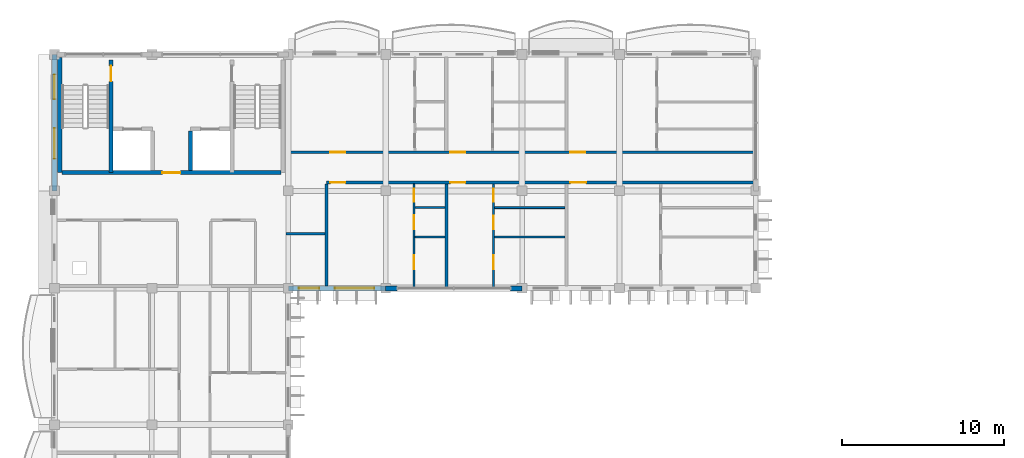
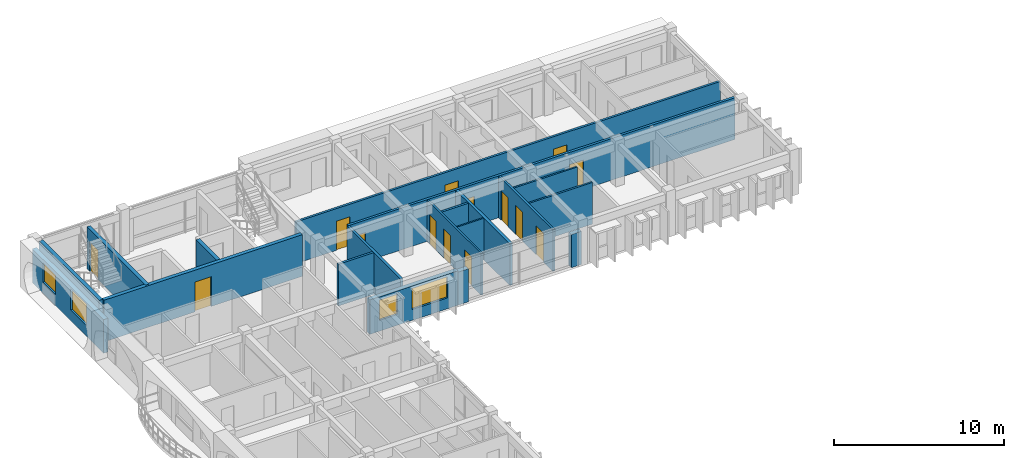
# One storey, part 30 of 68: 19 walls, 14 doors, 4 windows, 18 openings.
"""IFC4 building model written with IfcOpenShell, lengths in metres."""

from ifc_helpers import new_model, si_unit, direction, frame, frame_2d, origin, place, context, subcontext, project, spatial, rectangle, extrude, material, layer, layer_set, type_object, element, fill, save


model = new_model("IFC4")

# Units and contexts
model_context = context("Model", 3, precision=1e-05, world=origin(), true_north=direction((0.0, 1.0)))
body_context = subcontext(model_context, "Body", "Model", "MODEL_VIEW")
ifc_project = project(units=[si_unit("LENGTHUNIT", "METRE"), si_unit("AREAUNIT", "SQUARE_METRE"), si_unit("VOLUMEUNIT", "CUBIC_METRE"), si_unit("PLANEANGLEUNIT", "RADIAN"), si_unit("MASSUNIT", "GRAM", prefix="KILO"), si_unit("THERMODYNAMICTEMPERATUREUNIT", "KELVIN")], contexts=[model_context])

# Site, building, storey
site_placement = place(None, origin())
site = spatial("IfcSite", under=ifc_project, at=site_placement, CompositionType="ELEMENT")
building_placement = place(site_placement, origin())
building = spatial("IfcBuilding", under=site, at=building_placement, Name="Thalorik Housing Commons", CompositionType="ELEMENT")
storey_placement = place(building_placement, frame((0.0, 0.0, 24.60009765625)))
storey = spatial("IfcBuildingStorey", under=building, at=storey_placement, Name="L07", CompositionType="ELEMENT", Elevation=24.60009765625)

# Wall, opening, door
ifc_material_1 = material(Name="Concrete C40/50", Category="concrete")
ifc_layer_1 = layer(ifc_material_1, 0.25, Name="Concrete C40/50", Category="concrete")
ifc_layer_set_1 = layer_set([ifc_layer_1], Name="Concrete C40/50")
wall_type_1 = type_object("IfcWallType", Name="ARC-WAL-CORE-250", PredefinedType="SHEAR", material=ifc_layer_set_1)
wall_1_placement = place(storey_placement, frame((11.875, 123.25, 0.0), z_axis=(0.0, 0.0, 1.0), x_axis=(0.0, -1.0, 0.0)))
wall_1 = element("IfcWall", 1, at=wall_1_placement, inside=storey, type_object=wall_type_1, Name="L07 Core A Stair 1 Shear Wall", PredefinedType="SHEAR", context=body_context, shape_type="SweptSolid", body=[
    extrude(rectangle(XDim=6.925048828125, YDim=0.25, at=frame_2d((3.46240234375, 0.0))), origin(), (0.0, 0.0, 1.0), 3.0),
])
opening_1_placement = place(wall_1_placement, frame((0.35009765625, 0.0, 0.0)))
opening_1 = element("IfcOpeningElement", 2, at=opening_1_placement, cuts=wall_1, Name="Opening ID-0065", PredefinedType="OPENING", context=body_context, shape_type="SweptSolid", body=[
    extrude(rectangle(XDim=0.949951171875, YDim=2.10009765625, at=frame_2d((0.47509765625, 1.050048828125))), frame((0.0, 0.135009765625, 0.0), z_axis=(0.0, -1.0, 0.0), x_axis=(1.0, 0.0, 0.0)), (0.0, 0.0, 1.0), 0.27001953125),
])
ifc_material_2 = material(Name="Steel S355", Category="steel")
door_type_1 = type_object("IfcDoorType", Name="ARC-DR-FD60-950", OperationType="NOTDEFINED", PredefinedType="DOOR", material=ifc_material_2)
door_1_placement = place(opening_1_placement, origin())
door_1 = element("IfcDoor", 3, at=door_1_placement, inside=storey, type_object=door_type_1, Name="L07 Stair ST-A1 Fire Door", OperationType="SINGLE_SWING_RIGHT", OverallHeight=2.10009765625, OverallWidth=0.949951171875, PredefinedType="DOOR", context=body_context, shape_type="SweptSolid", body=[
    extrude(rectangle(XDim=0.949951171875, YDim=2.10009765625, at=frame_2d((0.47509765625, 1.050048828125))), frame((0.0, 0.02490234375, 0.0), z_axis=(0.0, -1.0, 0.0), x_axis=(1.0, 0.0, 0.0)), (0.0, 0.0, 1.0), 0.050048828125),
])
fill(opening_1, door_1)

# Walls
wall_2_placement = place(storey_placement, frame((8.72509765625, 123.39990234375, 0.0), z_axis=(0.0, 0.0, 1.0), x_axis=(0.0, -1.0, 0.0)))
element("IfcWall", 4, at=wall_2_placement, inside=storey, type_object=wall_type_1, Name="L07 Core A Stair 1 Outer Shear Wall", PredefinedType="SHEAR", context=body_context, shape_type="SweptSolid", body=[
    extrude(rectangle(XDim=7.074951171875, YDim=0.25, at=frame_2d((3.53759765625, 0.0))), origin(), (0.0, 0.0, 1.0), 3.0),
])
wall_3_placement = place(storey_placement, frame((16.77490234375, 118.875, 0.0), z_axis=(0.0, 0.0, 1.0), x_axis=(0.0, -1.0, 0.0)))
element("IfcWall", 5, at=wall_3_placement, inside=storey, type_object=wall_type_1, Name="L07 Lift 2 Cheek Wall", PredefinedType="SHEAR", context=body_context, shape_type="SweptSolid", body=[
    extrude(rectangle(XDim=2.425048828125, YDim=0.25, at=frame_2d((1.21240234375, 0.0))), origin(), (0.0, 0.0, 1.0), 3.0),
])

# Wall, opening, door
wall_4_placement = place(storey_placement, frame((8.85009765625, 116.324951171875, 0.0), z_axis=(0.0, 0.0, 1.0), x_axis=(1.0, 0.0, 0.0)))
wall_4 = element("IfcWall", 6, at=wall_4_placement, inside=storey, type_object=wall_type_1, Name="L07 Core A Spine Shear Wall", PredefinedType="SHEAR", context=body_context, shape_type="SweptSolid", body=[
    extrude(rectangle(XDim=13.5, YDim=0.25, at=frame_2d((6.75, 0.0))), origin(), (0.0, 0.0, 1.0), 3.0),
])
opening_2_placement = place(wall_4_placement, frame((6.199951171875, 0.0, 0.0)))
opening_2 = element("IfcOpeningElement", 7, at=opening_2_placement, cuts=wall_4, Name="Opening ID-0069", PredefinedType="OPENING", context=body_context, shape_type="SweptSolid", body=[
    extrude(rectangle(XDim=1.10009765625, YDim=2.14990234375, at=frame_2d((0.550048828125, 1.074951171875))), frame((0.0, 0.135009765625, 0.0), z_axis=(0.0, -1.0, 0.0), x_axis=(1.0, 0.0, 0.0)), (0.0, 0.0, 1.0), 0.27001953125),
])
door_type_2 = type_object("IfcDoorType", Name="ARC-DR-FD60-1100", OperationType="NOTDEFINED", PredefinedType="DOOR", material=ifc_material_2)
door_2_placement = place(opening_2_placement, origin())
door_2 = element("IfcDoor", 8, at=door_2_placement, inside=storey, type_object=door_type_2, Name="L07 Core A Lobby Fire Door", OperationType="SINGLE_SWING_RIGHT", OverallHeight=2.14990234375, OverallWidth=1.10009765625, PredefinedType="DOOR", context=body_context, shape_type="SweptSolid", body=[
    extrude(rectangle(XDim=1.10009765625, YDim=2.14990234375, at=frame_2d((0.550048828125, 1.074951171875))), frame((0.0, 0.02490234375, 0.0), z_axis=(0.0, -1.0, 0.0), x_axis=(1.0, 0.0, 0.0)), (0.0, 0.0, 1.0), 0.050048828125),
])
fill(opening_2, door_2)

# Wall
ifc_material_3 = material(Name="Masonry fire-rated corridor wall", Category="masonry")
ifc_layer_2 = layer(ifc_material_3, 0.14990234375, Name="Masonry fire-rated corridor wall", Category="masonry")
ifc_layer_set_2 = layer_set([ifc_layer_2], Name="Masonry fire-rated corridor wall")
wall_type_2 = type_object("IfcWallType", Name="ARC-WAL-CORR-150", PredefinedType="PARTITIONING", material=ifc_layer_set_2)
wall_5_placement = place(storey_placement, frame((22.659912109375, 112.570068359375, 0.0), z_axis=(0.0, 0.0, 1.0), x_axis=(1.0, 0.0, 0.0)))
element("IfcWall", 9, at=wall_5_placement, inside=storey, type_object=wall_type_2, Name="L07 Block A Vestibule South Wall", PredefinedType="PARTITIONING", context=body_context, shape_type="SweptSolid", body=[
    extrude(rectangle(XDim=2.405517578125, YDim=0.14990234375, at=frame_2d((1.20263671875, 0.0))), origin(), (0.0, 0.0, 1.0), 3.0),
])

# Wall, openings, doors
wall_6_placement = place(storey_placement, frame((22.659912109375, 117.580078125, 0.0), z_axis=(0.0, 0.0, 1.0), x_axis=(1.0, 0.0, 0.0)))
wall_6 = element("IfcWall", 10, at=wall_6_placement, inside=storey, type_object=wall_type_2, Name="L07 Block A N Corridor Wall 2", PredefinedType="PARTITIONING", context=body_context, shape_type="SweptSolid", body=[
    extrude(rectangle(XDim=28.880126953125, YDim=0.14990234375, at=frame_2d((14.43994140625, 0.0))), origin(), (0.0, 0.0, 1.0), 3.0),
])
opening_3_placement = place(wall_6_placement, frame((2.739990234375, 0.0, 0.0)))
opening_3 = element("IfcOpeningElement", 11, at=opening_3_placement, cuts=wall_6, Name="Opening ID-0706", PredefinedType="OPENING", context=body_context, shape_type="SweptSolid", body=[
    extrude(rectangle(XDim=0.919921875, YDim=2.10009765625, at=frame_2d((0.4599609375, 1.050048828125))), frame((0.0, 0.0849609375, 0.0), z_axis=(0.0, -1.0, 0.0), x_axis=(1.0, 0.0, 0.0)), (0.0, 0.0, 1.0), 0.169921875),
])
opening_4_placement = place(wall_6_placement, frame((10.1298828125, 0.0, 0.0)))
opening_4 = element("IfcOpeningElement", 12, at=opening_4_placement, cuts=wall_6, Name="Opening ID-0707", PredefinedType="OPENING", context=body_context, shape_type="SweptSolid", body=[
    extrude(rectangle(XDim=0.919921875, YDim=2.10009765625, at=frame_2d((0.4599609375, 1.050048828125))), frame((0.0, 0.0849609375, 0.0), z_axis=(0.0, -1.0, 0.0), x_axis=(1.0, 0.0, 0.0)), (0.0, 0.0, 1.0), 0.169921875),
])
opening_5_placement = place(wall_6_placement, frame((17.52001953125, 0.0, 0.0)))
opening_5 = element("IfcOpeningElement", 13, at=opening_5_placement, cuts=wall_6, Name="Opening ID-0708", PredefinedType="OPENING", context=body_context, shape_type="SweptSolid", body=[
    extrude(rectangle(XDim=0.919921875, YDim=2.10009765625, at=frame_2d((0.4599609375, 1.050048828125))), frame((0.0, 0.0849609375, 0.0), z_axis=(0.0, -1.0, 0.0), x_axis=(1.0, 0.0, 0.0)), (0.0, 0.0, 1.0), 0.169921875),
])
ifc_material_4 = material(Name="Solid core hardwood timber", Category="wood")
door_type_3 = type_object("IfcDoorType", Name="ARC-DR-FD30-920", OperationType="NOTDEFINED", PredefinedType="DOOR", material=ifc_material_4)
door_3_placement = place(opening_3_placement, origin())
door_3 = element("IfcDoor", 14, at=door_3_placement, inside=storey, type_object=door_type_3, Name="L07 Flat AN-1B Entrance Door", OperationType="SINGLE_SWING_LEFT", OverallHeight=2.10009765625, OverallWidth=0.919921875, PredefinedType="DOOR", context=body_context, shape_type="SweptSolid", body=[
    extrude(rectangle(XDim=0.919921875, YDim=2.10009765625, at=frame_2d((0.4599609375, 1.050048828125))), frame((0.0, 0.02490234375, 0.0), z_axis=(0.0, -1.0, 0.0), x_axis=(1.0, 0.0, 0.0)), (0.0, 0.0, 1.0), 0.050048828125),
])
fill(opening_3, door_3)
door_4_placement = place(opening_4_placement, origin())
door_4 = element("IfcDoor", 15, at=door_4_placement, inside=storey, type_object=door_type_3, Name="L07 Flat AN-2B Entrance Door", OperationType="SINGLE_SWING_RIGHT", OverallHeight=2.10009765625, OverallWidth=0.919921875, PredefinedType="DOOR", context=body_context, shape_type="SweptSolid", body=[
    extrude(rectangle(XDim=0.919921875, YDim=2.10009765625, at=frame_2d((0.4599609375, 1.050048828125))), frame((0.0, 0.02490234375, 0.0), z_axis=(0.0, -1.0, 0.0), x_axis=(1.0, 0.0, 0.0)), (0.0, 0.0, 1.0), 0.050048828125),
])
fill(opening_4, door_4)
door_5_placement = place(opening_5_placement, origin())
door_5 = element("IfcDoor", 16, at=door_5_placement, inside=storey, type_object=door_type_3, Name="L07 Flat AN-3B Entrance Door", OperationType="SINGLE_SWING_LEFT", OverallHeight=2.10009765625, OverallWidth=0.919921875, PredefinedType="DOOR", context=body_context, shape_type="SweptSolid", body=[
    extrude(rectangle(XDim=0.919921875, YDim=2.10009765625, at=frame_2d((0.4599609375, 1.050048828125))), frame((0.0, 0.02490234375, 0.0), z_axis=(0.0, -1.0, 0.0), x_axis=(1.0, 0.0, 0.0)), (0.0, 0.0, 1.0), 0.050048828125),
])
fill(opening_5, door_5)

# Wall
ifc_layer_3 = layer(ifc_material_3, 0.1650390625, Name="Masonry fire-rated corridor wall", Category="masonry")
ifc_layer_set_3 = layer_set([ifc_layer_3], Name="Masonry fire-rated corridor wall")
wall_type_3 = type_object("IfcWallType", Name="ARC-WAL-CORR-165", PredefinedType="PARTITIONING", material=ifc_layer_set_3)
wall_7_placement = place(storey_placement, frame((25.14990234375, 109.3544921875, 0.0), z_axis=(0.0, 0.0, 1.0), x_axis=(0.0, 1.0, 0.0)))
element("IfcWall", 17, at=wall_7_placement, inside=storey, type_object=wall_type_3, Name="L07 Block A Vestibule Cheek Wall", PredefinedType="PARTITIONING", context=body_context, shape_type="SweptSolid", body=[
    extrude(rectangle(XDim=6.281005859375, YDim=0.1650390625, at=frame_2d((3.140625, 0.0))), origin(), (0.0, 0.0, 1.0), 3.0),
])

# Wall, openings, doors
wall_8_placement = place(storey_placement, frame((25.14990234375, 115.719970703125, 0.0), z_axis=(0.0, 0.0, 1.0), x_axis=(1.0, 0.0, 0.0)))
wall_8 = element("IfcWall", 18, at=wall_8_placement, inside=storey, type_object=wall_type_3, Name="L07 Block A N Corridor Wall 1", PredefinedType="PARTITIONING", context=body_context, shape_type="SweptSolid", body=[
    extrude(rectangle(XDim=26.295654296875, YDim=0.1650390625, at=frame_2d((13.14794921875, 0.0))), origin(), (0.0, 0.0, 1.0), 3.0),
])
opening_6_placement = place(wall_8_placement, frame((0.25, 0.0, 0.0)))
opening_6 = element("IfcOpeningElement", 19, at=opening_6_placement, cuts=wall_8, Name="Opening ID-0703", PredefinedType="OPENING", context=body_context, shape_type="SweptSolid", body=[
    extrude(rectangle(XDim=0.919921875, YDim=2.10009765625, at=frame_2d((0.4599609375, 1.050048828125))), frame((0.0, 0.092529296875, 0.0), z_axis=(0.0, -1.0, 0.0), x_axis=(1.0, 0.0, 0.0)), (0.0, 0.0, 1.0), 0.18505859375),
])
opening_7_placement = place(wall_8_placement, frame((7.639892578125, 0.0, 0.0)))
opening_7 = element("IfcOpeningElement", 20, at=opening_7_placement, cuts=wall_8, Name="Opening ID-0704", PredefinedType="OPENING", context=body_context, shape_type="SweptSolid", body=[
    extrude(rectangle(XDim=0.919921875, YDim=2.10009765625, at=frame_2d((0.4599609375, 1.050048828125))), frame((0.0, 0.092529296875, 0.0), z_axis=(0.0, -1.0, 0.0), x_axis=(1.0, 0.0, 0.0)), (0.0, 0.0, 1.0), 0.18505859375),
])
opening_8_placement = place(wall_8_placement, frame((15.030029296875, 0.0, 0.0)))
opening_8 = element("IfcOpeningElement", 21, at=opening_8_placement, cuts=wall_8, Name="Opening ID-0705", PredefinedType="OPENING", context=body_context, shape_type="SweptSolid", body=[
    extrude(rectangle(XDim=0.9599609375, YDim=2.1201171875, at=frame_2d((0.47998046875, 1.06005859375))), frame((0.0, 0.092529296875, 0.0), z_axis=(0.0, -1.0, 0.0), x_axis=(1.0, 0.0, 0.0)), (0.0, 0.0, 1.0), 0.18505859375),
])
door_6_placement = place(opening_6_placement, origin())
door_6 = element("IfcDoor", 22, at=door_6_placement, inside=storey, type_object=door_type_3, Name="L07 Flat AN-1A Entrance Door", OperationType="SINGLE_SWING_RIGHT", OverallHeight=2.10009765625, OverallWidth=0.919921875, PredefinedType="DOOR", context=body_context, shape_type="SweptSolid", body=[
    extrude(rectangle(XDim=0.919921875, YDim=2.10009765625, at=frame_2d((0.4599609375, 1.050048828125))), frame((0.0, 0.02490234375, 0.0), z_axis=(0.0, -1.0, 0.0), x_axis=(1.0, 0.0, 0.0)), (0.0, 0.0, 1.0), 0.050048828125),
])
fill(opening_6, door_6)
door_7_placement = place(opening_7_placement, origin())
door_7 = element("IfcDoor", 23, at=door_7_placement, inside=storey, type_object=door_type_3, Name="L07 Flat AN-2A Entrance Door", OperationType="SINGLE_SWING_LEFT", OverallHeight=2.10009765625, OverallWidth=0.919921875, PredefinedType="DOOR", context=body_context, shape_type="SweptSolid", body=[
    extrude(rectangle(XDim=0.919921875, YDim=2.10009765625, at=frame_2d((0.4599609375, 1.050048828125))), frame((0.0, 0.02490234375, 0.0), z_axis=(0.0, -1.0, 0.0), x_axis=(1.0, 0.0, 0.0)), (0.0, 0.0, 1.0), 0.050048828125),
])
fill(opening_7, door_7)
door_type_4 = type_object("IfcDoorType", Name="ARC-DR-FD30-960", OperationType="NOTDEFINED", PredefinedType="DOOR", material=ifc_material_4)
door_8_placement = place(opening_8_placement, origin())
door_8 = element("IfcDoor", 24, at=door_8_placement, inside=storey, type_object=door_type_4, Name="L07 Flat AN-3A Entrance Door", OperationType="SINGLE_SWING_RIGHT", OverallHeight=2.1201171875, OverallWidth=0.9599609375, PredefinedType="DOOR", context=body_context, shape_type="SweptSolid", body=[
    extrude(rectangle(XDim=0.9599609375, YDim=2.1201171875, at=frame_2d((0.47998046875, 1.06005859375))), frame((0.0, 0.02490234375, 0.0), z_axis=(0.0, -1.0, 0.0), x_axis=(1.0, 0.0, 0.0)), (0.0, 0.0, 1.0), 0.050048828125),
])
fill(opening_8, door_8)

# Wall, openings, windows
ifc_material_5 = material(Name="White precast concrete C40/50", Category="concrete")
ifc_layer_4 = layer(ifc_material_5, 0.304931640625, Name="White precast concrete C40/50", Category="concrete")
ifc_layer_set_4 = layer_set([ifc_layer_4], Name="White precast concrete C40/50")
wall_type_4 = type_object("IfcWallType", Name="ARC-WAL-EXT-305", PredefinedType="STANDARD", material=ifc_layer_set_4)
wall_9_placement = place(storey_placement, frame((22.800048828125, 109.199951171875, 0.0), z_axis=(0.0, 0.0, 1.0), x_axis=(1.0, 0.0, 0.0)))
wall_9 = element("IfcWall", 25, at=wall_9_placement, inside=storey, type_object=wall_type_4, Name="L07 Exterior Wall WAL-EXT-L07-A-0191", PredefinedType="STANDARD", context=body_context, shape_type="SweptSolid", body=[
    extrude(rectangle(XDim=6.0, YDim=0.304931640625, at=frame_2d((3.0, 0.0))), origin(), (0.0, 0.0, 1.0), 2.474853515625),
])
opening_9_placement = place(wall_9_placement, frame((0.64501953125, 0.0, 0.780029296875)))
opening_9 = element("IfcOpeningElement", 26, at=opening_9_placement, cuts=wall_9, Name="Opening W-47", PredefinedType="OPENING", context=body_context, shape_type="SweptSolid", body=[
    extrude(rectangle(XDim=1.25, YDim=1.449951171875, at=frame_2d((0.625, 0.72509765625))), frame((0.0, 0.16259765625, 0.0), z_axis=(0.0, -1.0, 0.0), x_axis=(1.0, 0.0, 0.0)), (0.0, 0.0, 1.0), 0.324951171875),
])
opening_10_placement = place(wall_9_placement, frame((2.8701171875, 0.0, 0.780029296875)))
opening_10 = element("IfcOpeningElement", 27, at=opening_10_placement, cuts=wall_9, Name="Opening W-70", PredefinedType="OPENING", context=body_context, shape_type="SweptSolid", body=[
    extrude(rectangle(XDim=2.419921875, YDim=1.52001953125, at=frame_2d((1.2099609375, 0.760009765625))), frame((0.0, 0.16259765625, 0.0), z_axis=(0.0, -1.0, 0.0), x_axis=(1.0, 0.0, 0.0)), (0.0, 0.0, 1.0), 0.324951171875),
])
ifc_material_6 = material(Name="Anodised aluminium and solar-control low-E glass", Category="aluminium")
window_type_1 = type_object("IfcWindowType", Name="ARC-WIN-47", PartitioningType="SINGLE_PANEL", PredefinedType="WINDOW", material=ifc_material_6)
window_1_placement = place(opening_9_placement, origin())
window_1 = element("IfcWindow", 28, at=window_1_placement, inside=storey, type_object=window_type_1, Name="L07 Facade Window 345", OverallHeight=1.449951171875, OverallWidth=1.25, PartitioningType="SINGLE_PANEL", PredefinedType="WINDOW", context=body_context, shape_type="SweptSolid", body=[
    extrude(rectangle(XDim=1.25, YDim=1.449951171875, at=frame_2d((0.625, 0.72509765625))), frame((0.0, 0.030029296875, 0.0), z_axis=(0.0, -1.0, 0.0), x_axis=(1.0, 0.0, 0.0)), (0.0, 0.0, 1.0), 0.06005859375),
])
fill(opening_9, window_1)
window_type_2 = type_object("IfcWindowType", Name="ARC-WIN-70", PartitioningType="DOUBLE_PANEL_VERTICAL", PredefinedType="WINDOW", material=ifc_material_6)
window_2_placement = place(opening_10_placement, origin())
window_2 = element("IfcWindow", 29, at=window_2_placement, inside=storey, type_object=window_type_2, Name="L07 Facade Window 346", OverallHeight=1.52001953125, OverallWidth=2.419921875, PartitioningType="DOUBLE_PANEL_VERTICAL", PredefinedType="WINDOW", context=body_context, shape_type="SweptSolid", body=[
    extrude(rectangle(XDim=2.419921875, YDim=1.52001953125, at=frame_2d((1.2099609375, 0.760009765625))), frame((0.0, 0.030029296875, 0.0), z_axis=(0.0, -1.0, 0.0), x_axis=(1.0, 0.0, 0.0)), (0.0, 0.0, 1.0), 0.06005859375),
])
fill(opening_10, window_2)

# Walls
for number, where, z_axis, x_axis, name in (
    (30, (28.800048828125, 109.199951171875, 0.0), (0.0, 0.0, 1.0), (1.0, 0.0, 0.0), "L07 Exterior Wall WAL-PIERL-L07-A-0192"),
    (31, (36.5, 109.199951171875, 0.0), (0.0, 0.0, 1.0), (1.0, 0.0, 0.0), "L07 Exterior Wall WAL-PIERR-L07-A-0192"),
):
    element("IfcWall", number, at=place(storey_placement, frame(where, z_axis=z_axis, x_axis=x_axis)), inside=storey, type_object=wall_type_4, Name=name, PredefinedType="STANDARD", context=body_context, shape_type="SweptSolid", body=[
        extrude(rectangle(XDim=0.699951171875, YDim=0.304931640625, at=frame_2d((0.35009765625, 0.0))), origin(), (0.0, 0.0, 1.0), 2.375),
    ])

# Wall, openings, windows
wall_10_placement = place(storey_placement, frame((8.39990234375, 123.60009765625, 0.0), z_axis=(0.0, 0.0, 1.0), x_axis=(0.0, -1.0, 0.0)))
wall_10 = element("IfcWall", 32, at=wall_10_placement, inside=storey, type_object=wall_type_4, Name="L07 Exterior Wall WAL-EXT-L07-A-0203", PredefinedType="STANDARD", context=body_context, shape_type="SweptSolid", body=[
    extrude(rectangle(XDim=8.400146484375, YDim=0.304931640625, at=frame_2d((4.2001953125, 0.0))), origin(), (0.0, 0.0, 1.0), 2.4248046875),
])
opening_11_placement = place(wall_10_placement, frame((1.236328125, 0.0, 0.780029296875)))
opening_11 = element("IfcOpeningElement", 33, at=opening_11_placement, cuts=wall_10, Name="Opening W-52", PredefinedType="OPENING", context=body_context, shape_type="SweptSolid", body=[
    extrude(rectangle(XDim=1.52001953125, YDim=1.419921875, at=frame_2d((0.760009765625, 0.7099609375))), frame((0.0, 0.16259765625, 0.0), z_axis=(0.0, -1.0, 0.0), x_axis=(1.0, 0.0, 0.0)), (0.0, 0.0, 1.0), 0.324951171875),
])
opening_12_placement = place(wall_10_placement, frame((4.52880859375, 0.0, 0.780029296875)))
opening_12 = element("IfcOpeningElement", 34, at=opening_12_placement, cuts=wall_10, Name="Opening W-59", PredefinedType="OPENING", context=body_context, shape_type="SweptSolid", body=[
    extrude(rectangle(XDim=1.8798828125, YDim=1.52001953125, at=frame_2d((0.93994140625, 0.760009765625))), frame((0.0, 0.16259765625, 0.0), z_axis=(0.0, -1.0, 0.0), x_axis=(1.0, 0.0, 0.0)), (0.0, 0.0, 1.0), 0.324951171875),
])
window_type_3 = type_object("IfcWindowType", Name="ARC-WIN-52", PartitioningType="SINGLE_PANEL", PredefinedType="WINDOW", material=ifc_material_6)
window_3_placement = place(opening_11_placement, origin())
window_3 = element("IfcWindow", 35, at=window_3_placement, inside=storey, type_object=window_type_3, Name="L07 Facade Window 361", OverallHeight=1.419921875, OverallWidth=1.52001953125, PartitioningType="SINGLE_PANEL", PredefinedType="WINDOW", context=body_context, shape_type="SweptSolid", body=[
    extrude(rectangle(XDim=1.52001953125, YDim=1.419921875, at=frame_2d((0.760009765625, 0.7099609375))), frame((0.0, 0.030029296875, 0.0), z_axis=(0.0, -1.0, 0.0), x_axis=(1.0, 0.0, 0.0)), (0.0, 0.0, 1.0), 0.06005859375),
])
fill(opening_11, window_3)
window_type_4 = type_object("IfcWindowType", Name="ARC-WIN-59", PartitioningType="DOUBLE_PANEL_VERTICAL", PredefinedType="WINDOW", material=ifc_material_6)
window_4_placement = place(opening_12_placement, origin())
window_4 = element("IfcWindow", 36, at=window_4_placement, inside=storey, type_object=window_type_4, Name="L07 Facade Window 362", OverallHeight=1.52001953125, OverallWidth=1.8798828125, PartitioningType="DOUBLE_PANEL_VERTICAL", PredefinedType="WINDOW", context=body_context, shape_type="SweptSolid", body=[
    extrude(rectangle(XDim=1.8798828125, YDim=1.52001953125, at=frame_2d((0.93994140625, 0.760009765625))), frame((0.0, 0.030029296875, 0.0), z_axis=(0.0, -1.0, 0.0), x_axis=(1.0, 0.0, 0.0)), (0.0, 0.0, 1.0), 0.06005859375),
])
fill(opening_12, window_4)

# Wall
ifc_material_7 = material(Name="Gypsum light stud partition", Category="masonry")
ifc_layer_5 = layer(ifc_material_7, 0.10009765625, Name="Gypsum light stud partition", Category="masonry")
ifc_layer_set_5 = layer_set([ifc_layer_5], Name="Gypsum light stud partition")
wall_type_5 = type_object("IfcWallType", Name="ARC-WAL-PART-100", PredefinedType="PARTITIONING", material=ifc_layer_set_5)
wall_11_placement = place(storey_placement, frame((30.6044921875, 112.36083984375, 0.0), z_axis=(0.0, 0.0, 1.0), x_axis=(1.0, 0.0, 0.0)))
element("IfcWall", 37, at=wall_11_placement, inside=storey, type_object=wall_type_5, Name="L07 Unit 1 Bedroom Partition", PredefinedType="PARTITIONING", context=body_context, shape_type="SweptSolid", body=[
    extrude(rectangle(XDim=1.83349609375, YDim=0.10009765625, at=frame_2d((0.916748046875, 0.0))), origin(), (0.0, 0.0, 1.0), 3.0),
])

# Wall, openings, doors
ifc_material_8 = material(Name="Gypsum moisture-resistant partition", Category="masonry")
ifc_layer_6 = layer(ifc_material_8, 0.114990234375, Name="Gypsum moisture-resistant partition", Category="masonry")
ifc_layer_set_6 = layer_set([ifc_layer_6], Name="Gypsum moisture-resistant partition")
wall_type_6 = type_object("IfcWallType", Name="ARC-WAL-PART-115", PredefinedType="PARTITIONING", material=ifc_layer_set_6)
wall_12_placement = place(storey_placement, frame((30.544921875, 109.260009765625, 0.0), z_axis=(0.0, 0.0, 1.0), x_axis=(0.0, 1.0, 0.0)))
wall_12 = element("IfcWall", 38, at=wall_12_placement, inside=storey, type_object=wall_type_6, Name="L07 Unit 1 Spine Partition", PredefinedType="PARTITIONING", context=body_context, shape_type="SweptSolid", body=[
    extrude(rectangle(XDim=6.37548828125, YDim=0.114990234375, at=frame_2d((3.187744140625, 0.0))), origin(), (0.0, 0.0, 1.0), 3.0),
])
opening_13_placement = place(wall_12_placement, frame((1.12548828125, 0.0, 0.0)))
opening_13 = element("IfcOpeningElement", 39, at=opening_13_placement, cuts=wall_12, Name="Opening ID-0685", PredefinedType="OPENING", context=body_context, shape_type="SweptSolid", body=[
    extrude(rectangle(XDim=0.85009765625, YDim=2.10009765625, at=frame_2d((0.425048828125, 1.050048828125))), frame((0.0, 0.0673828125, 0.0), z_axis=(0.0, -1.0, 0.0), x_axis=(1.0, 0.0, 0.0)), (0.0, 0.0, 1.0), 0.135009765625),
])
opening_14_placement = place(wall_12_placement, frame((3.580078125, 0.0, 0.0)))
opening_14 = element("IfcOpeningElement", 40, at=opening_14_placement, cuts=wall_12, Name="Opening ID-0686", PredefinedType="OPENING", context=body_context, shape_type="SweptSolid", body=[
    extrude(rectangle(XDim=0.85009765625, YDim=2.10009765625, at=frame_2d((0.425048828125, 1.050048828125))), frame((0.0, 0.0673828125, 0.0), z_axis=(0.0, -1.0, 0.0), x_axis=(1.0, 0.0, 0.0)), (0.0, 0.0, 1.0), 0.135009765625),
])
opening_15_placement = place(wall_12_placement, frame((5.284912109375, 0.0, 0.0)))
opening_15 = element("IfcOpeningElement", 41, at=opening_15_placement, cuts=wall_12, Name="Opening ID-0687", PredefinedType="OPENING", context=body_context, shape_type="SweptSolid", body=[
    extrude(rectangle(XDim=0.800048828125, YDim=2.10009765625, at=frame_2d((0.39990234375, 1.050048828125))), frame((0.0, 0.0673828125, 0.0), z_axis=(0.0, -1.0, 0.0), x_axis=(1.0, 0.0, 0.0)), (0.0, 0.0, 1.0), 0.135009765625),
])
ifc_material_9 = material(Name="Moisture-resistant timber", Category="wood")
door_type_5 = type_object("IfcDoorType", Name="ARC-DR-INT-800", OperationType="NOTDEFINED", PredefinedType="DOOR", material=ifc_material_9)
door_9_placement = place(opening_15_placement, origin())
door_9 = element("IfcDoor", 42, at=door_9_placement, inside=storey, type_object=door_type_5, Name="L07 Flat Bathroom Door", OperationType="SINGLE_SWING_RIGHT", OverallHeight=2.10009765625, OverallWidth=0.800048828125, PredefinedType="DOOR", context=body_context, shape_type="SweptSolid", body=[
    extrude(rectangle(XDim=0.800048828125, YDim=2.10009765625, at=frame_2d((0.39990234375, 1.050048828125))), frame((0.0, 0.02490234375, 0.0), z_axis=(0.0, -1.0, 0.0), x_axis=(1.0, 0.0, 0.0)), (0.0, 0.0, 1.0), 0.050048828125),
])
fill(opening_15, door_9)
ifc_material_10 = material(Name="Engineered oak timber", Category="wood")
door_type_6 = type_object("IfcDoorType", Name="ARC-DR-INT-850", OperationType="NOTDEFINED", PredefinedType="DOOR", material=ifc_material_10)
door_10_placement = place(opening_13_placement, origin())
door_10 = element("IfcDoor", 43, at=door_10_placement, inside=storey, type_object=door_type_6, Name="L07 Master Bedroom Door", OperationType="SINGLE_SWING_RIGHT", OverallHeight=2.10009765625, OverallWidth=0.85009765625, PredefinedType="DOOR", context=body_context, shape_type="SweptSolid", body=[
    extrude(rectangle(XDim=0.85009765625, YDim=2.10009765625, at=frame_2d((0.425048828125, 1.050048828125))), frame((0.0, 0.02490234375, 0.0), z_axis=(0.0, -1.0, 0.0), x_axis=(1.0, 0.0, 0.0)), (0.0, 0.0, 1.0), 0.050048828125),
])
fill(opening_13, door_10)
door_11_placement = place(opening_14_placement, origin())
door_11 = element("IfcDoor", 44, at=door_11_placement, inside=storey, type_object=door_type_6, Name="L07 Eat-In Kitchen Door", OperationType="SINGLE_SWING_LEFT", OverallHeight=2.10009765625, OverallWidth=0.85009765625, PredefinedType="DOOR", context=body_context, shape_type="SweptSolid", body=[
    extrude(rectangle(XDim=0.85009765625, YDim=2.10009765625, at=frame_2d((0.425048828125, 1.050048828125))), frame((0.0, 0.02490234375, 0.0), z_axis=(0.0, -1.0, 0.0), x_axis=(1.0, 0.0, 0.0)), (0.0, 0.0, 1.0), 0.050048828125),
])
fill(opening_14, door_11)

# Walls
wall_13_placement = place(storey_placement, frame((35.507080078125, 114.169677734375, 0.0), z_axis=(0.0, 0.0, 1.0), x_axis=(1.0, 0.0, 0.0)))
element("IfcWall", 45, at=wall_13_placement, inside=storey, type_object=wall_type_6, Name="L07 Unit 2 Wet Wall", PredefinedType="PARTITIONING", context=body_context, shape_type="SweptSolid", body=[
    extrude(rectangle(XDim=4.328369140625, YDim=0.114990234375, at=frame_2d((2.1640625, 0.0))), origin(), (0.0, 0.0, 1.0), 3.0),
])
ifc_material_11 = material(Name="Gypsum acoustic stud partition", Category="masonry")
ifc_layer_7 = layer(ifc_material_11, 0.125, Name="Gypsum acoustic stud partition", Category="masonry")
ifc_layer_set_7 = layer_set([ifc_layer_7], Name="Gypsum acoustic stud partition")
wall_type_7 = type_object("IfcWallType", Name="ARC-WAL-PART-125", PredefinedType="PARTITIONING", material=ifc_layer_set_7)
wall_14_placement = place(storey_placement, frame((35.507080078125, 112.36083984375, 0.0), z_axis=(0.0, 0.0, 1.0), x_axis=(1.0, 0.0, 0.0)))
element("IfcWall", 46, at=wall_14_placement, inside=storey, type_object=wall_type_7, Name="L07 Unit 2 Bedroom Partition", PredefinedType="PARTITIONING", context=body_context, shape_type="SweptSolid", body=[
    extrude(rectangle(XDim=4.328369140625, YDim=0.125, at=frame_2d((2.1640625, 0.0))), origin(), (0.0, 0.0, 1.0), 3.0),
])
ifc_material_12 = material(Name="Ceramic masonry partition wall", Category="masonry")
ifc_layer_8 = layer(ifc_material_12, 0.139892578125, Name="Ceramic masonry partition wall", Category="masonry")
ifc_layer_set_8 = layer_set([ifc_layer_8], Name="Ceramic masonry partition wall")
wall_type_8 = type_object("IfcWallType", Name="ARC-WAL-PART-140", PredefinedType="PARTITIONING", material=ifc_layer_set_8)
wall_15_placement = place(storey_placement, frame((30.6044921875, 114.169677734375, 0.0), z_axis=(0.0, 0.0, 1.0), x_axis=(1.0, 0.0, 0.0)))
element("IfcWall", 47, at=wall_15_placement, inside=storey, type_object=wall_type_8, Name="L07 Unit 1 Wet Wall", PredefinedType="PARTITIONING", context=body_context, shape_type="SweptSolid", body=[
    extrude(rectangle(XDim=1.83349609375, YDim=0.139892578125, at=frame_2d((0.916748046875, 0.0))), origin(), (0.0, 0.0, 1.0), 3.0),
])

# Wall, openings, doors
wall_16_placement = place(storey_placement, frame((35.43505859375, 109.260009765625, 0.0), z_axis=(0.0, 0.0, 1.0), x_axis=(0.0, 1.0, 0.0)))
wall_16 = element("IfcWall", 48, at=wall_16_placement, inside=storey, type_object=wall_type_8, Name="L07 Unit 2 Spine Partition", PredefinedType="PARTITIONING", context=body_context, shape_type="SweptSolid", body=[
    extrude(rectangle(XDim=6.37548828125, YDim=0.139892578125, at=frame_2d((3.187744140625, 0.0))), origin(), (0.0, 0.0, 1.0), 3.0),
])
opening_16_placement = place(wall_16_placement, frame((1.12548828125, 0.0, 0.0)))
opening_16 = element("IfcOpeningElement", 49, at=opening_16_placement, cuts=wall_16, Name="Opening ID-0691", PredefinedType="OPENING", context=body_context, shape_type="SweptSolid", body=[
    extrude(rectangle(XDim=0.85009765625, YDim=2.10009765625, at=frame_2d((0.425048828125, 1.050048828125))), frame((0.0, 0.080078125, 0.0), z_axis=(0.0, -1.0, 0.0), x_axis=(1.0, 0.0, 0.0)), (0.0, 0.0, 1.0), 0.159912109375),
])
opening_17_placement = place(wall_16_placement, frame((3.580078125, 0.0, 0.0)))
opening_17 = element("IfcOpeningElement", 50, at=opening_17_placement, cuts=wall_16, Name="Opening ID-0692", PredefinedType="OPENING", context=body_context, shape_type="SweptSolid", body=[
    extrude(rectangle(XDim=0.820068359375, YDim=2.080078125, at=frame_2d((0.41015625, 1.0400390625))), frame((0.0, 0.080078125, 0.0), z_axis=(0.0, -1.0, 0.0), x_axis=(1.0, 0.0, 0.0)), (0.0, 0.0, 1.0), 0.159912109375),
])
opening_18_placement = place(wall_16_placement, frame((5.284912109375, 0.0, 0.0)))
opening_18 = element("IfcOpeningElement", 51, at=opening_18_placement, cuts=wall_16, Name="Opening ID-0693", PredefinedType="OPENING", context=body_context, shape_type="SweptSolid", body=[
    extrude(rectangle(XDim=0.800048828125, YDim=2.10009765625, at=frame_2d((0.39990234375, 1.050048828125))), frame((0.0, 0.080078125, 0.0), z_axis=(0.0, -1.0, 0.0), x_axis=(1.0, 0.0, 0.0)), (0.0, 0.0, 1.0), 0.159912109375),
])
door_12_placement = place(opening_18_placement, origin())
door_12 = element("IfcDoor", 52, at=door_12_placement, inside=storey, type_object=door_type_5, Name="L07 Flat Bathroom Door", OperationType="SINGLE_SWING_RIGHT", OverallHeight=2.10009765625, OverallWidth=0.800048828125, PredefinedType="DOOR", context=body_context, shape_type="SweptSolid", body=[
    extrude(rectangle(XDim=0.800048828125, YDim=2.10009765625, at=frame_2d((0.39990234375, 1.050048828125))), frame((0.0, 0.02490234375, 0.0), z_axis=(0.0, -1.0, 0.0), x_axis=(1.0, 0.0, 0.0)), (0.0, 0.0, 1.0), 0.050048828125),
])
fill(opening_18, door_12)
door_type_7 = type_object("IfcDoorType", Name="ARC-DR-INT-820", OperationType="NOTDEFINED", PredefinedType="DOOR", material=ifc_material_10)
door_13_placement = place(opening_17_placement, origin())
door_13 = element("IfcDoor", 53, at=door_13_placement, inside=storey, type_object=door_type_7, Name="L07 Galley Kitchen Door", OperationType="SINGLE_SWING_LEFT", OverallHeight=2.080078125, OverallWidth=0.820068359375, PredefinedType="DOOR", context=body_context, shape_type="SweptSolid", body=[
    extrude(rectangle(XDim=0.820068359375, YDim=2.080078125, at=frame_2d((0.41015625, 1.0400390625))), frame((0.0, 0.02490234375, 0.0), z_axis=(0.0, -1.0, 0.0), x_axis=(1.0, 0.0, 0.0)), (0.0, 0.0, 1.0), 0.050048828125),
])
fill(opening_17, door_13)
door_14_placement = place(opening_16_placement, origin())
door_14 = element("IfcDoor", 54, at=door_14_placement, inside=storey, type_object=door_type_6, Name="L07 Double Bedroom Door", OperationType="SINGLE_SWING_RIGHT", OverallHeight=2.10009765625, OverallWidth=0.85009765625, PredefinedType="DOOR", context=body_context, shape_type="SweptSolid", body=[
    extrude(rectangle(XDim=0.85009765625, YDim=2.10009765625, at=frame_2d((0.425048828125, 1.050048828125))), frame((0.0, 0.02490234375, 0.0), z_axis=(0.0, -1.0, 0.0), x_axis=(1.0, 0.0, 0.0)), (0.0, 0.0, 1.0), 0.050048828125),
])
fill(opening_16, door_14)

# Wall
ifc_material_13 = material(Name="Precast concrete C40/50 acoustic wall", Category="concrete")
ifc_layer_9 = layer(ifc_material_13, 0.199951171875, Name="Precast concrete C40/50 acoustic wall", Category="concrete")
ifc_layer_set_9 = layer_set([ifc_layer_9], Name="Precast concrete C40/50 acoustic wall")
wall_type_9 = type_object("IfcWallType", Name="ARC-WAL-PARTY-200", PredefinedType="PARTITIONING", material=ifc_layer_set_9)
wall_17_placement = place(storey_placement, frame((32.5400390625, 109.260009765625, 0.0), z_axis=(0.0, 0.0, 1.0), x_axis=(0.0, 1.0, 0.0)))
element("IfcWall", 55, at=wall_17_placement, inside=storey, type_object=wall_type_9, Name="L07 Inter-Tenancy Wall 1A", PredefinedType="PARTITIONING", context=body_context, shape_type="SweptSolid", body=[
    extrude(rectangle(XDim=6.37548828125, YDim=0.199951171875, at=frame_2d((3.187744140625, 0.0))), origin(), (0.0, 0.0, 1.0), 3.0),
])

save(model, "model.ifc")
